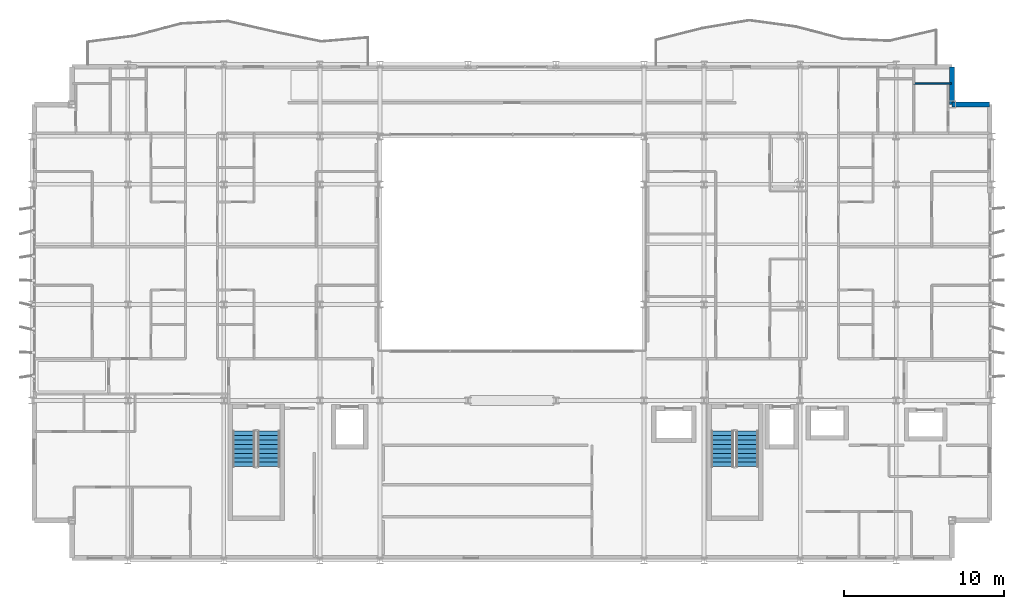
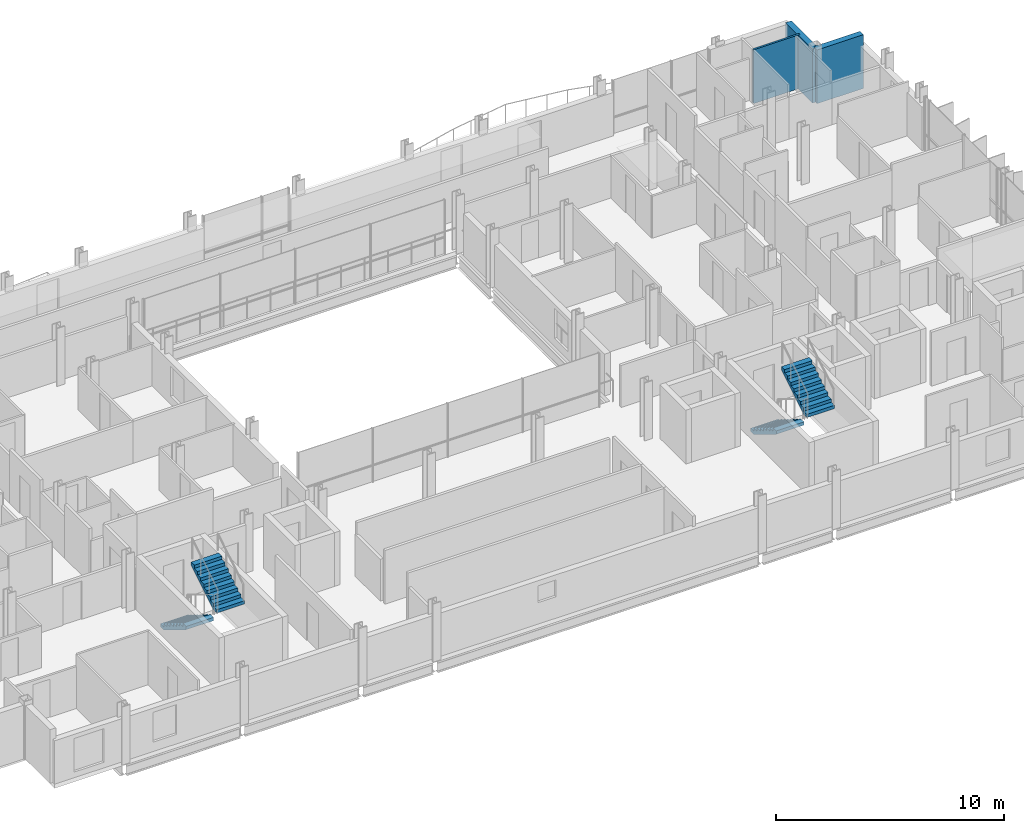
# One storey, part 33 of 39: 4 stair flights, 3 walls, 2 elements without a shape of their own.
"""IFC4 building model written with IfcOpenShell, lengths in metres."""

from ifc_helpers import new_model, si_unit, direction, frame, frame_2d, origin, place, context, subcontext, project, spatial, polyline, rectangle, outline, extrude, material, layer, layer_set, type_object, element, aggregate, save


model = new_model("IFC4")

# Units and contexts
model_context = context("Model", 3, precision=1e-05, world=origin(), true_north=direction((0.0, 1.0)))
body_context = subcontext(model_context, "Body", "Model", "MODEL_VIEW")
ifc_project = project(units=[si_unit("LENGTHUNIT", "METRE"), si_unit("AREAUNIT", "SQUARE_METRE"), si_unit("VOLUMEUNIT", "CUBIC_METRE"), si_unit("PLANEANGLEUNIT", "RADIAN"), si_unit("MASSUNIT", "GRAM", prefix="KILO")], contexts=[model_context])

# Site, building, storey
site_placement = place(None, origin())
site = spatial("IfcSite", under=ifc_project, at=site_placement, CompositionType="ELEMENT")
building_placement = place(site_placement, origin())
building = spatial("IfcBuilding", under=site, at=building_placement, Name="Brevholm Reach", CompositionType="ELEMENT")
storey_placement = place(building_placement, frame((0.0, 0.0, 115.89990234375)))
storey = spatial("IfcBuildingStorey", under=building, at=storey_placement, Name="L34", CompositionType="ELEMENT", Elevation=115.89990234375)

# Walls
ifc_material_1 = material(Name="Concrete C40/50", Category="concrete")
ifc_layer_1 = layer(ifc_material_1, 0.300048828125)
ifc_layer_set_1 = layer_set([ifc_layer_1], Name="Concrete C40/50")
wall_type_1 = type_object("IfcWallType", Name="WAL-EXT-300", PredefinedType="STANDARD", material=ifc_layer_set_1)
for number, where, z_axis, x_axis, name in (
    (1, (59.85009765625, 28.5, 0.0), (0.0, 0.0, 1.0), (-1.0, 0.0, 0.0), "L34 Facade Wall WAL-L34-CNE1"),
    (2, (57.5, 28.5, 0.0), (0.0, 0.0, 1.0), (0.0, 1.0, 0.0), "L34 Facade Wall WAL-L34-CNE2"),
):
    element("IfcWall", number, at=place(storey_placement, frame(where, z_axis=z_axis, x_axis=x_axis)), inside=storey, type_object=wall_type_1, Name=name, PredefinedType="STANDARD", context=body_context, shape_type="SweptSolid", body=[
        extrude(rectangle(XDim=2.35009765625, YDim=0.300048828125, at=frame_2d((1.175048828125, 0.0))), origin(), (0.0, 0.0, 1.0), 2.880126953125),
    ])
ifc_material_2 = material(Name="Moisture-Resistant Acoustic Gypsum Stud Partition 100 mm", Category="gypsum")
ifc_layer_2 = layer(ifc_material_2, 0.10009765625)
ifc_layer_set_2 = layer_set([ifc_layer_2], Name="Moisture-Resistant Acoustic Gypsum Stud Partition 100 mm")
wall_type_2 = type_object("IfcWallType", Name="WAL-PRT-100", PredefinedType="PARTITIONING", material=ifc_layer_set_2)
wall_placement = place(storey_placement, frame((55.10009765625, 29.800048828125, 0.0), z_axis=(0.0, 0.0, 1.0), x_axis=(1.0, 0.0, 0.0)))
element("IfcWall", 3, at=wall_placement, inside=storey, type_object=wall_type_2, Name="L34 Internal Partition 159", PredefinedType="PARTITIONING", context=body_context, shape_type="SweptSolid", body=[
    extrude(rectangle(XDim=2.349853515625, YDim=0.10009765625, at=frame_2d((1.1748046875, 0.0))), origin(), (0.0, 0.0, 1.0), 2.880126953125),
])

# Stair, stair flights
ifc_material_3 = material(Name="Precast Concrete C40/50", Category="concrete")
stair_type = type_object("IfcStairType", Name="STR-ESC-1400", PredefinedType="DOUBLE_RETURN_STAIR", material=ifc_material_3)
stair_1_placement = place(storey_placement, origin())
stair_1 = element("IfcStair", 4, at=stair_1_placement, inside=storey, type_object=stair_type, Name="L34 ST-1", PredefinedType="DOUBLE_RETURN_STAIR")
ifc_material_4 = material(Name="Precast Concrete C40/50", Category="concrete")
ifc_layer_3 = layer(ifc_material_4, 0.18505859375)
ifc_layer_set_3 = layer_set([ifc_layer_3], Name="Precast Concrete C40/50")
stair_flight_type = type_object("IfcStairFlightType", Name="STF-PRC-185", PredefinedType="STRAIGHT", material=ifc_layer_set_3)
stair_flight_1_placement = place(storey_placement, frame((13.25, 8.10009765625, 0.0), z_axis=(0.0, 0.0, 1.0), x_axis=(0.0, -1.0, 0.0)))
stair_flight_1 = element("IfcStairFlight", 5, at=stair_flight_1_placement, type_object=stair_flight_type, Name="ST-1 flight 1", NumberOfRisers=9, NumberOfTreads=8, PredefinedType="STRAIGHT", RiserHeight=0.172222222, TreadLength=0.28, context=body_context, shape_type="SweptSolid", body=[
    extrude(outline(polyline([(0.0, 0.0), (0.0, 0.172119140625), (0.280029296875, 0.172119140625), (0.280029296875, 0.344482421875), (0.56005859375, 0.344482421875), (0.56005859375, 0.5166015625), (0.840087890625, 0.5166015625), (0.840087890625, 0.68896484375), (1.1201171875, 0.68896484375), (1.1201171875, 0.861083984375), (1.39990234375, 0.861083984375), (1.39990234375, 1.033447265625), (1.679931640625, 1.033447265625), (1.679931640625, 1.20556640625), (1.9599609375, 1.20556640625), (1.9599609375, 1.377685546875), (2.239990234375, 1.377685546875), (2.239990234375, 1.550048828125), (2.239990234375, 1.201904296875), (0.2861328125, 0.0), (0.0, 0.0)])), frame((0.0, 0.699951171875, 0.0), z_axis=(0.0, -1.0, 0.0), x_axis=(1.0, 0.0, 0.0)), (0.0, 0.0, 1.0), 1.39990234375),
])
stair_flight_2_placement = place(storey_placement, frame((14.800048828125, 5.860107421875, 1.550048828125), z_axis=(0.0, 0.0, 1.0), x_axis=(0.0, 1.0, 0.0)))
stair_flight_2 = element("IfcStairFlight", 6, at=stair_flight_2_placement, type_object=stair_flight_type, Name="ST-1 flight 2", NumberOfRisers=9, NumberOfTreads=8, PredefinedType="STRAIGHT", RiserHeight=0.172222222, TreadLength=0.28, context=body_context, shape_type="SweptSolid", body=[
    extrude(outline(polyline([(0.0, 0.0), (0.0, 0.172119140625), (0.280029296875, 0.172119140625), (0.280029296875, 0.344482421875), (0.56005859375, 0.344482421875), (0.56005859375, 0.5166015625), (0.840087890625, 0.5166015625), (0.840087890625, 0.68896484375), (1.1201171875, 0.68896484375), (1.1201171875, 0.861083984375), (1.39990234375, 0.861083984375), (1.39990234375, 1.033447265625), (1.679931640625, 1.033447265625), (1.679931640625, 1.20556640625), (1.9599609375, 1.20556640625), (1.9599609375, 1.377685546875), (2.239990234375, 1.377685546875), (2.239990234375, 1.550048828125), (2.239990234375, 1.201904296875), (0.2861328125, 0.0), (0.0, 0.0)])), frame((0.0, 0.699951171875, 0.0), z_axis=(0.0, -1.0, 0.0), x_axis=(1.0, 0.0, 0.0)), (0.0, 0.0, 1.0), 1.39990234375),
])
aggregate(stair_1, [stair_flight_1, stair_flight_2])

stair_2_placement = place(storey_placement, origin())
stair_2 = element("IfcStair", 7, at=stair_2_placement, inside=storey, type_object=stair_type, Name="L34 ST-2", PredefinedType="DOUBLE_RETURN_STAIR")
stair_flight_3_placement = place(storey_placement, frame((43.14990234375, 8.10009765625, 0.0), z_axis=(0.0, 0.0, 1.0), x_axis=(0.0, -1.0, 0.0)))
stair_flight_3 = element("IfcStairFlight", 8, at=stair_flight_3_placement, type_object=stair_flight_type, Name="ST-2 flight 1", NumberOfRisers=9, NumberOfTreads=8, PredefinedType="STRAIGHT", RiserHeight=0.172222222, TreadLength=0.28, context=body_context, shape_type="SweptSolid", body=[
    extrude(outline(polyline([(0.0, 0.0), (0.0, 0.172119140625), (0.280029296875, 0.172119140625), (0.280029296875, 0.344482421875), (0.56005859375, 0.344482421875), (0.56005859375, 0.5166015625), (0.840087890625, 0.5166015625), (0.840087890625, 0.68896484375), (1.1201171875, 0.68896484375), (1.1201171875, 0.861083984375), (1.39990234375, 0.861083984375), (1.39990234375, 1.033447265625), (1.679931640625, 1.033447265625), (1.679931640625, 1.20556640625), (1.9599609375, 1.20556640625), (1.9599609375, 1.377685546875), (2.239990234375, 1.377685546875), (2.239990234375, 1.550048828125), (2.239990234375, 1.201904296875), (0.2861328125, 0.0), (0.0, 0.0)])), frame((0.0, 0.699951171875, 0.0), z_axis=(0.0, -1.0, 0.0), x_axis=(1.0, 0.0, 0.0)), (0.0, 0.0, 1.0), 1.39990234375),
])
stair_flight_4_placement = place(storey_placement, frame((44.699951171875, 5.860107421875, 1.550048828125), z_axis=(0.0, 0.0, 1.0), x_axis=(0.0, 1.0, 0.0)))
stair_flight_4 = element("IfcStairFlight", 9, at=stair_flight_4_placement, type_object=stair_flight_type, Name="ST-2 flight 2", NumberOfRisers=9, NumberOfTreads=8, PredefinedType="STRAIGHT", RiserHeight=0.172222222, TreadLength=0.28, context=body_context, shape_type="SweptSolid", body=[
    extrude(outline(polyline([(0.0, 0.0), (0.0, 0.172119140625), (0.280029296875, 0.172119140625), (0.280029296875, 0.344482421875), (0.56005859375, 0.344482421875), (0.56005859375, 0.5166015625), (0.840087890625, 0.5166015625), (0.840087890625, 0.68896484375), (1.1201171875, 0.68896484375), (1.1201171875, 0.861083984375), (1.39990234375, 0.861083984375), (1.39990234375, 1.033447265625), (1.679931640625, 1.033447265625), (1.679931640625, 1.20556640625), (1.9599609375, 1.20556640625), (1.9599609375, 1.377685546875), (2.239990234375, 1.377685546875), (2.239990234375, 1.550048828125), (2.239990234375, 1.201904296875), (0.2861328125, 0.0), (0.0, 0.0)])), frame((0.0, 0.699951171875, 0.0), z_axis=(0.0, -1.0, 0.0), x_axis=(1.0, 0.0, 0.0)), (0.0, 0.0, 1.0), 1.39990234375),
])
aggregate(stair_2, [stair_flight_3, stair_flight_4])

save(model, "model.ifc")
